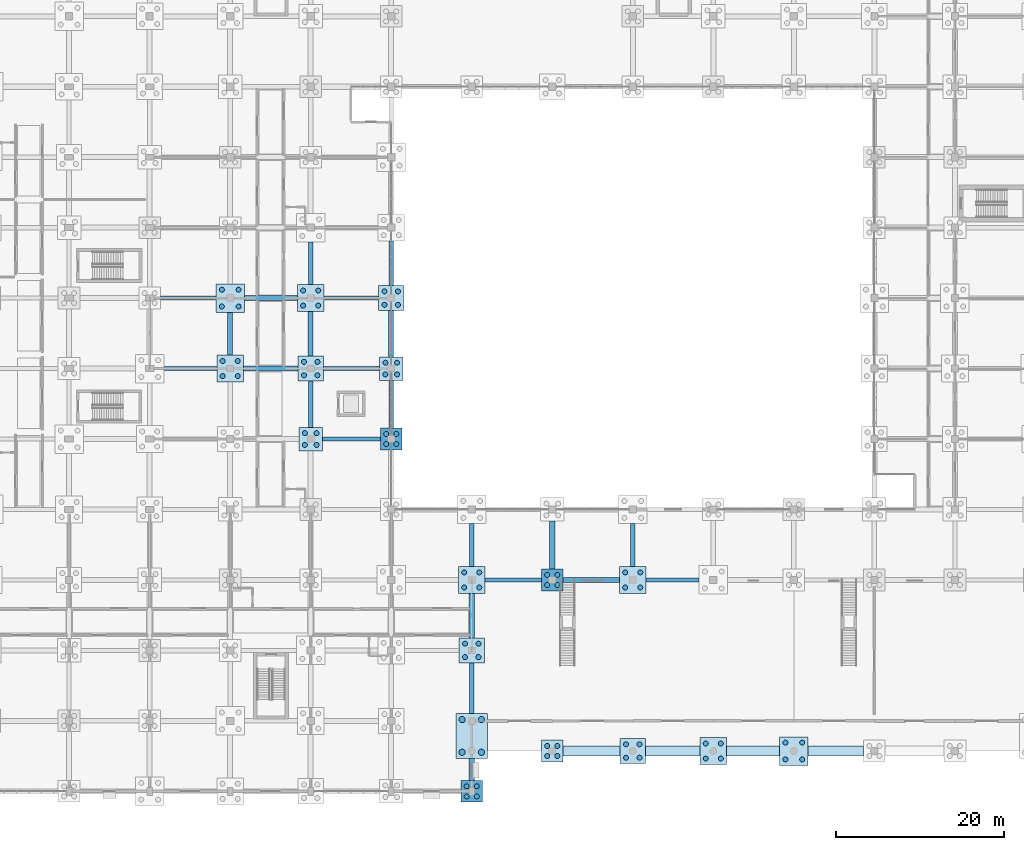
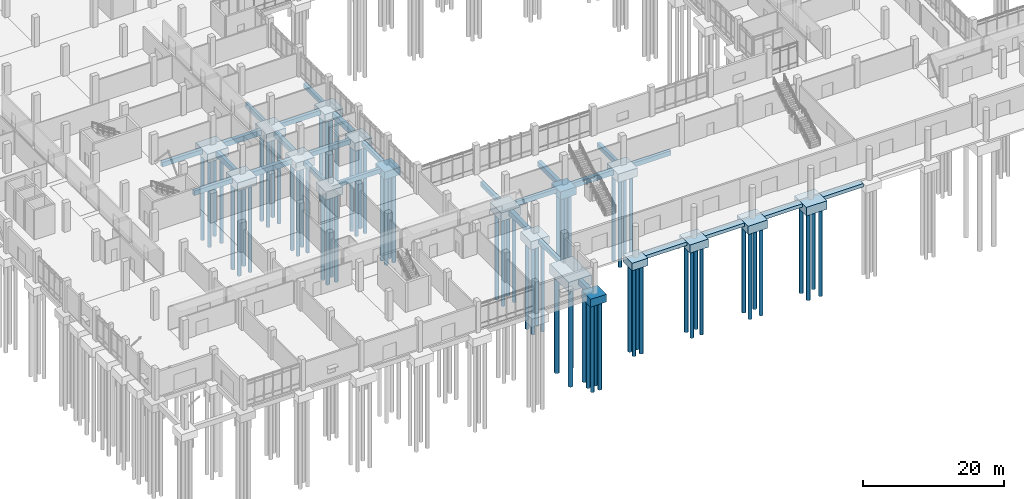
# One storey, part 4 of 136: 72 piles, 45 footings.
"""IFC4 building model written with IfcOpenShell, lengths in metres."""

from ifc_helpers import new_model, si_unit, direction, frame, origin, origin_2d, place, context, subcontext, project, spatial, rectangle, circle, extrude, material, material_profile, profile_set, type_object, element, save


model = new_model("IFC4")

# Units and contexts
model_context = context("Model", 3, precision=1e-05, world=origin(), true_north=direction((0.0, 1.0)))
body_context = subcontext(model_context, "Body", "Model", "MODEL_VIEW")
ifc_project = project(units=[si_unit("LENGTHUNIT", "METRE"), si_unit("AREAUNIT", "SQUARE_METRE"), si_unit("VOLUMEUNIT", "CUBIC_METRE"), si_unit("PLANEANGLEUNIT", "RADIAN"), si_unit("MASSUNIT", "GRAM", prefix="KILO")], contexts=[model_context])

# Site, building, storey
site_placement = place(None, origin())
site = spatial("IfcSite", under=ifc_project, at=site_placement, CompositionType="ELEMENT")
building_placement = place(site_placement, origin())
building = spatial("IfcBuilding", under=site, at=building_placement, Name="Oolite Switchyard Hospital", CompositionType="ELEMENT")
storey_placement = place(building_placement, origin())
storey = spatial("IfcBuildingStorey", under=building, at=storey_placement, Name="L00", CompositionType="ELEMENT", Elevation=0.0)

# Footings
ifc_material = material(Name="Concrete C40/50", Category="concrete")
footing_type_1 = type_object("IfcFootingType", Name="FTG-GB500X800", PredefinedType="FOOTING_BEAM", material=ifc_material)
footing_1_placement = place(storey_placement, frame((72.14990234375, 25.199951171875, -1.14990234375), z_axis=(0.0, 0.0, 1.0), x_axis=(1.0, 0.0, 0.0)))
element("IfcFooting", 1, at=footing_1_placement, inside=storey, type_object=footing_type_1, Name="L00 Grade Beam 42", PredefinedType="FOOTING_BEAM", context=body_context, shape_type="SweptSolid", body=[
    extrude(rectangle(XDim=6.699951171875, YDim=0.5, at=origin_2d()), origin(), (0.0, 0.0, 1.0), 0.800048828125),
])
footing_2_placement = place(storey_placement, frame((91.14990234375, 25.199951171875, -1.14990234375), z_axis=(0.0, 0.0, 1.0), x_axis=(1.0, 0.0, 0.0)))
element("IfcFooting", 2, at=footing_2_placement, inside=storey, type_object=footing_type_1, Name="L00 Grade Beam 44", PredefinedType="FOOTING_BEAM", context=body_context, shape_type="SweptSolid", body=[
    extrude(rectangle(XDim=6.300048828125, YDim=0.5, at=origin_2d()), origin(), (0.0, 0.0, 1.0), 0.800048828125),
])
footing_3_placement = place(storey_placement, frame((52.85009765625, 42.0, -1.14990234375), z_axis=(0.0, 0.0, 1.0), x_axis=(1.0, 0.0, 0.0)))
element("IfcFooting", 3, at=footing_3_placement, inside=storey, type_object=footing_type_1, Name="L00 Grade Beam 78", PredefinedType="FOOTING_BEAM", context=body_context, shape_type="SweptSolid", body=[
    extrude(rectangle(XDim=6.89990234375, YDim=0.5, at=origin_2d()), origin(), (0.0, 0.0, 1.0), 0.800048828125),
])
footing_4_placement = place(storey_placement, frame((33.64990234375, 50.39990234375, -1.14990234375), z_axis=(0.0, 0.0, 1.0), x_axis=(1.0, 0.0, 0.0)))
element("IfcFooting", 4, at=footing_4_placement, inside=storey, type_object=footing_type_1, Name="L00 Grade Beam 86", PredefinedType="FOOTING_BEAM", context=body_context, shape_type="SweptSolid", body=[
    extrude(rectangle(XDim=6.300048828125, YDim=0.5, at=origin_2d()), origin(), (0.0, 0.0, 1.0), 0.800048828125),
])
footing_5_placement = place(storey_placement, frame((52.85009765625, 50.39990234375, -1.14990234375), z_axis=(0.0, 0.0, 1.0), x_axis=(1.0, 0.0, 0.0)))
element("IfcFooting", 5, at=footing_5_placement, inside=storey, type_object=footing_type_1, Name="L00 Grade Beam 88", PredefinedType="FOOTING_BEAM", context=body_context, shape_type="SweptSolid", body=[
    extrude(rectangle(XDim=6.699951171875, YDim=0.5, at=origin_2d()), origin(), (0.0, 0.0, 1.0), 0.800048828125),
])
footing_6_placement = place(storey_placement, frame((33.39990234375, 58.800048828125, -1.14990234375), z_axis=(0.0, 0.0, 1.0), x_axis=(1.0, 0.0, 0.0)))
element("IfcFooting", 6, at=footing_6_placement, inside=storey, type_object=footing_type_1, Name="L00 Grade Beam 98", PredefinedType="FOOTING_BEAM", context=body_context, shape_type="SweptSolid", body=[
    extrude(rectangle(XDim=6.60009765625, YDim=0.5, at=origin_2d()), origin(), (0.0, 0.0, 1.0), 0.800048828125),
])
footing_7_placement = place(storey_placement, frame((52.85009765625, 58.800048828125, -1.14990234375), z_axis=(0.0, 0.0, 1.0), x_axis=(1.0, 0.0, 0.0)))
element("IfcFooting", 7, at=footing_7_placement, inside=storey, type_object=footing_type_1, Name="L00 Grade Beam 100", PredefinedType="FOOTING_BEAM", context=body_context, shape_type="SweptSolid", body=[
    extrude(rectangle(XDim=6.5, YDim=0.5, at=origin_2d()), origin(), (0.0, 0.0, 1.0), 0.800048828125),
])
footing_8_placement = place(storey_placement, frame((48.0, 46.14990234375, -1.14990234375), z_axis=(0.0, 0.0, 1.0), x_axis=(0.0, 1.0, 0.0)))
element("IfcFooting", 8, at=footing_8_placement, inside=storey, type_object=footing_type_1, Name="L00 Grade Beam 349", PredefinedType="FOOTING_BEAM", context=body_context, shape_type="SweptSolid", body=[
    extrude(rectangle(XDim=5.5, YDim=0.5, at=origin_2d()), origin(), (0.0, 0.0, 1.0), 0.800048828125),
])
footing_9_placement = place(storey_placement, frame((48.0, 62.949951171875, -1.14990234375), z_axis=(0.0, 0.0, 1.0), x_axis=(0.0, 1.0, 0.0)))
element("IfcFooting", 9, at=footing_9_placement, inside=storey, type_object=footing_type_1, Name="L00 Grade Beam 351", PredefinedType="FOOTING_BEAM", context=body_context, shape_type="SweptSolid", body=[
    extrude(rectangle(XDim=5.10009765625, YDim=0.5, at=origin_2d()), origin(), (0.0, 0.0, 1.0), 0.800048828125),
])
footing_10_placement = place(storey_placement, frame((57.60009765625, 46.14990234375, -1.14990234375), z_axis=(0.0, 0.0, 1.0), x_axis=(0.0, 1.0, 0.0)))
element("IfcFooting", 10, at=footing_10_placement, inside=storey, type_object=footing_type_1, Name="L00 Grade Beam 365", PredefinedType="FOOTING_BEAM", context=body_context, shape_type="SweptSolid", body=[
    extrude(rectangle(XDim=5.699951171875, YDim=0.5, at=origin_2d()), origin(), (0.0, 0.0, 1.0), 0.800048828125),
])
footing_11_placement = place(storey_placement, frame((57.60009765625, 62.949951171875, -1.14990234375), z_axis=(0.0, 0.0, 1.0), x_axis=(0.0, 1.0, 0.0)))
element("IfcFooting", 11, at=footing_11_placement, inside=storey, type_object=footing_type_1, Name="L00 Grade Beam 367", PredefinedType="FOOTING_BEAM", context=body_context, shape_type="SweptSolid", body=[
    extrude(rectangle(XDim=5.300048828125, YDim=0.5, at=origin_2d()), origin(), (0.0, 0.0, 1.0), 0.800048828125),
])
footing_12_placement = place(storey_placement, frame((67.199951171875, 12.300048828125, -1.14990234375), z_axis=(0.0, 0.0, 1.0), x_axis=(0.0, 1.0, 0.0)))
element("IfcFooting", 12, at=footing_12_placement, inside=storey, type_object=footing_type_1, Name="L00 Grade Beam 377", PredefinedType="FOOTING_BEAM", context=body_context, shape_type="SweptSolid", body=[
    extrude(rectangle(XDim=6.0, YDim=0.5, at=origin_2d()), origin(), (0.0, 0.0, 1.0), 0.800048828125),
])
for number, where, z_axis, x_axis, name in (
    (13, (67.199951171875, 29.35009765625, -1.14990234375), (0.0, 0.0, 1.0), (0.0, 1.0, 0.0), "L00 Grade Beam 379"),
    (14, (86.39990234375, 29.35009765625, -1.14990234375), (0.0, 0.0, 1.0), (0.0, 1.0, 0.0), "L00 Grade Beam 389"),
):
    element("IfcFooting", number, at=place(storey_placement, frame(where, z_axis=z_axis, x_axis=x_axis)), inside=storey, type_object=footing_type_1, Name=name, PredefinedType="FOOTING_BEAM", context=body_context, shape_type="SweptSolid", body=[
        extrude(rectangle(XDim=5.10009765625, YDim=0.5, at=origin_2d()), origin(), (0.0, 0.0, 1.0), 0.800048828125),
    ])
footing_type_2 = type_object("IfcFootingType", Name="FTG-GB600X900", PredefinedType="FOOTING_BEAM", material=ifc_material)
footing_13_placement = place(storey_placement, frame((81.449951171875, 25.199951171875, -1.25), z_axis=(0.0, 0.0, 1.0), x_axis=(1.0, 0.0, 0.0)))
element("IfcFooting", 15, at=footing_13_placement, inside=storey, type_object=footing_type_2, Name="L00 Grade Beam 43", PredefinedType="FOOTING_BEAM", context=body_context, shape_type="SweptSolid", body=[
    extrude(rectangle(XDim=6.699951171875, YDim=0.60009765625, at=origin_2d()), origin(), (0.0, 0.0, 1.0), 0.89990234375),
])
footing_14_placement = place(storey_placement, frame((43.25, 50.39990234375, -1.25), z_axis=(0.0, 0.0, 1.0), x_axis=(1.0, 0.0, 0.0)))
element("IfcFooting", 16, at=footing_14_placement, inside=storey, type_object=footing_type_2, Name="L00 Grade Beam 87", PredefinedType="FOOTING_BEAM", context=body_context, shape_type="SweptSolid", body=[
    extrude(rectangle(XDim=6.5, YDim=0.60009765625, at=origin_2d()), origin(), (0.0, 0.0, 1.0), 0.89990234375),
])
footing_15_placement = place(storey_placement, frame((43.25, 58.800048828125, -1.25), z_axis=(0.0, 0.0, 1.0), x_axis=(1.0, 0.0, 0.0)))
element("IfcFooting", 17, at=footing_15_placement, inside=storey, type_object=footing_type_2, Name="L00 Grade Beam 99", PredefinedType="FOOTING_BEAM", context=body_context, shape_type="SweptSolid", body=[
    extrude(rectangle(XDim=6.300048828125, YDim=0.60009765625, at=origin_2d()), origin(), (0.0, 0.0, 1.0), 0.89990234375),
])
footing_16_placement = place(storey_placement, frame((38.39990234375, 54.550048828125, -1.25), z_axis=(0.0, 0.0, 1.0), x_axis=(0.0, 1.0, 0.0)))
element("IfcFooting", 18, at=footing_16_placement, inside=storey, type_object=footing_type_2, Name="L00 Grade Beam 334", PredefinedType="FOOTING_BEAM", context=body_context, shape_type="SweptSolid", body=[
    extrude(rectangle(XDim=5.10009765625, YDim=0.60009765625, at=origin_2d()), origin(), (0.0, 0.0, 1.0), 0.89990234375),
])
footing_17_placement = place(storey_placement, frame((48.0, 54.550048828125, -1.25), z_axis=(0.0, 0.0, 1.0), x_axis=(0.0, 1.0, 0.0)))
element("IfcFooting", 19, at=footing_17_placement, inside=storey, type_object=footing_type_2, Name="L00 Grade Beam 350", PredefinedType="FOOTING_BEAM", context=body_context, shape_type="SweptSolid", body=[
    extrude(rectangle(XDim=5.300048828125, YDim=0.60009765625, at=origin_2d()), origin(), (0.0, 0.0, 1.0), 0.89990234375),
])
footing_18_placement = place(storey_placement, frame((57.60009765625, 54.550048828125, -1.25), z_axis=(0.0, 0.0, 1.0), x_axis=(0.0, 1.0, 0.0)))
element("IfcFooting", 20, at=footing_18_placement, inside=storey, type_object=footing_type_2, Name="L00 Grade Beam 366", PredefinedType="FOOTING_BEAM", context=body_context, shape_type="SweptSolid", body=[
    extrude(rectangle(XDim=5.5, YDim=0.60009765625, at=origin_2d()), origin(), (0.0, 0.0, 1.0), 0.89990234375),
])
footing_19_placement = place(storey_placement, frame((67.199951171875, 2.60009765625, -1.25), z_axis=(0.0, 0.0, 1.0), x_axis=(0.0, 1.0, 0.0)))
element("IfcFooting", 21, at=footing_19_placement, inside=storey, type_object=footing_type_2, Name="L00 Grade Beam 376", PredefinedType="FOOTING_BEAM", context=body_context, shape_type="SweptSolid", body=[
    extrude(rectangle(XDim=2.60009765625, YDim=0.60009765625, at=origin_2d()), origin(), (0.0, 0.0, 1.0), 0.89990234375),
])
footing_20_placement = place(storey_placement, frame((67.199951171875, 20.949951171875, -1.25), z_axis=(0.0, 0.0, 1.0), x_axis=(0.0, 1.0, 0.0)))
element("IfcFooting", 22, at=footing_20_placement, inside=storey, type_object=footing_type_2, Name="L00 Grade Beam 378", PredefinedType="FOOTING_BEAM", context=body_context, shape_type="SweptSolid", body=[
    extrude(rectangle(XDim=5.300048828125, YDim=0.60009765625, at=origin_2d()), origin(), (0.0, 0.0, 1.0), 0.89990234375),
])
footing_21_placement = place(storey_placement, frame((76.800048828125, 29.35009765625, -1.25), z_axis=(0.0, 0.0, 1.0), x_axis=(0.0, 1.0, 0.0)))
element("IfcFooting", 23, at=footing_21_placement, inside=storey, type_object=footing_type_2, Name="L00 Grade Beam 384", PredefinedType="FOOTING_BEAM", context=body_context, shape_type="SweptSolid", body=[
    extrude(rectangle(XDim=5.699951171875, YDim=0.60009765625, at=origin_2d()), origin(), (0.0, 0.0, 1.0), 0.89990234375),
])
footing_type_3 = type_object("IfcFootingType", Name="FTG-PC24", PredefinedType="PILE_CAP", material=ifc_material)
footing_22_placement = place(storey_placement, frame((76.800048828125, 4.800048828125, -1.64990234375), z_axis=(0.0, 0.0, 1.0), x_axis=(1.0, 0.0, 0.0)))
element("IfcFooting", 24, at=footing_22_placement, inside=storey, type_object=footing_type_3, Name="L00 Multi-Pile Cap 133", PredefinedType="PILE_CAP", context=body_context, shape_type="SweptSolid", body=[
    extrude(rectangle(XDim=2.60009765625, YDim=2.60009765625, at=origin_2d()), origin(), (0.0, 0.0, 1.0), 1.300048828125),
])
footing_type_4 = type_object("IfcFootingType", Name="FTG-PC26", PredefinedType="PILE_CAP", material=ifc_material)
for number, where, z_axis, x_axis, name in (
    (25, (57.60009765625, 42.0, -1.699951171875), (0.0, 0.0, 1.0), (1.0, 0.0, 0.0), "L00 Multi-Pile Cap 110"),
    (26, (67.199951171875, 0.0, -1.699951171875), (0.0, 0.0, 1.0), (1.0, 0.0, 0.0), "L00 Multi-Pile Cap 122"),
    (27, (76.800048828125, 25.199951171875, -1.699951171875), (0.0, 0.0, 1.0), (1.0, 0.0, 0.0), "L00 Multi-Pile Cap 134"),
):
    element("IfcFooting", number, at=place(storey_placement, frame(where, z_axis=z_axis, x_axis=x_axis)), inside=storey, type_object=footing_type_4, Name=name, PredefinedType="PILE_CAP", context=body_context, shape_type="SweptSolid", body=[
        extrude(rectangle(XDim=2.60009765625, YDim=2.60009765625, at=origin_2d()), origin(), (0.0, 0.0, 1.0), 1.35009765625),
    ])
footing_type_5 = type_object("IfcFootingType", Name="FTG-PC28", PredefinedType="PILE_CAP", material=ifc_material)
for number, where, z_axis, x_axis, name in (
    (28, (48.0, 42.0, -1.75), (0.0, 0.0, 1.0), (1.0, 0.0, 0.0), "L00 Multi-Pile Cap 93"),
    (29, (57.60009765625, 50.39990234375, -1.75), (0.0, 0.0, 1.0), (1.0, 0.0, 0.0), "L00 Multi-Pile Cap 111"),
):
    element("IfcFooting", number, at=place(storey_placement, frame(where, z_axis=z_axis, x_axis=x_axis)), inside=storey, type_object=footing_type_5, Name=name, PredefinedType="PILE_CAP", context=body_context, shape_type="SweptSolid", body=[
        extrude(rectangle(XDim=2.800048828125, YDim=2.800048828125, at=origin_2d()), origin(), (0.0, 0.0, 1.0), 1.39990234375),
    ])
footing_type_6 = type_object("IfcFootingType", Name="FTG-PC30", PredefinedType="PILE_CAP", material=ifc_material)
for number, where, z_axis, x_axis, name in (
    (30, (48.0, 50.39990234375, -1.77001953125), (0.0, 0.0, 1.0), (1.0, 0.0, 0.0), "L00 Multi-Pile Cap 94"),
    (31, (57.60009765625, 58.800048828125, -1.77001953125), (0.0, 0.0, 1.0), (1.0, 0.0, 0.0), "L00 Multi-Pile Cap 112"),
    (32, (67.199951171875, 16.800048828125, -1.77001953125), (0.0, 0.0, 1.0), (1.0, 0.0, 0.0), "L00 Multi-Pile Cap 124"),
    (33, (86.39990234375, 4.800048828125, -1.77001953125), (0.0, 0.0, 1.0), (1.0, 0.0, 0.0), "L00 Multi-Pile Cap 142"),
):
    element("IfcFooting", number, at=place(storey_placement, frame(where, z_axis=z_axis, x_axis=x_axis)), inside=storey, type_object=footing_type_6, Name=name, PredefinedType="PILE_CAP", context=body_context, shape_type="SweptSolid", body=[
        extrude(rectangle(XDim=3.0, YDim=3.0, at=origin_2d()), origin(), (0.0, 0.0, 1.0), 1.419921875),
    ])
footing_type_7 = type_object("IfcFootingType", Name="FTG-PC32", PredefinedType="PILE_CAP", material=ifc_material)
for number, where, z_axis, x_axis, name in (
    (34, (38.39990234375, 50.39990234375, -1.7998046875), (0.0, 0.0, 1.0), (1.0, 0.0, 0.0), "L00 Multi-Pile Cap 77"),
    (35, (48.0, 58.800048828125, -1.7998046875), (0.0, 0.0, 1.0), (1.0, 0.0, 0.0), "L00 Multi-Pile Cap 95"),
    (36, (67.199951171875, 25.199951171875, -1.7998046875), (0.0, 0.0, 1.0), (1.0, 0.0, 0.0), "L00 Multi-Pile Cap 125"),
    (37, (86.39990234375, 25.199951171875, -1.7998046875), (0.0, 0.0, 1.0), (1.0, 0.0, 0.0), "L00 Multi-Pile Cap 143"),
    (38, (96.0, 4.800048828125, -1.7998046875), (0.0, 0.0, 1.0), (1.0, 0.0, 0.0), "L00 Multi-Pile Cap 149"),
):
    element("IfcFooting", number, at=place(storey_placement, frame(where, z_axis=z_axis, x_axis=x_axis)), inside=storey, type_object=footing_type_7, Name=name, PredefinedType="PILE_CAP", context=body_context, shape_type="SweptSolid", body=[
        extrude(rectangle(XDim=3.199951171875, YDim=3.199951171875, at=origin_2d()), origin(), (0.0, 0.0, 1.0), 1.449951171875),
    ])
footing_type_8 = type_object("IfcFootingType", Name="FTG-PC34", PredefinedType="PILE_CAP", material=ifc_material)
for number, where, z_axis, x_axis, name in (
    (39, (38.39990234375, 58.800048828125, -1.85009765625), (0.0, 0.0, 1.0), (1.0, 0.0, 0.0), "L00 Multi-Pile Cap 78"),
    (40, (105.60009765625, 4.800048828125, -1.85009765625), (0.0, 0.0, 1.0), (1.0, 0.0, 0.0), "L00 Multi-Pile Cap 156"),
):
    element("IfcFooting", number, at=place(storey_placement, frame(where, z_axis=z_axis, x_axis=x_axis)), inside=storey, type_object=footing_type_8, Name=name, PredefinedType="PILE_CAP", context=body_context, shape_type="SweptSolid", body=[
        extrude(rectangle(XDim=3.39990234375, YDim=3.39990234375, at=origin_2d()), origin(), (0.0, 0.0, 1.0), 1.5),
    ])
footing_type_9 = type_object("IfcFootingType", Name="FTG-PC54X38", PredefinedType="PILE_CAP", material=ifc_material)
footing_23_placement = place(storey_placement, frame((67.199951171875, 6.60009765625, -2.0498046875), z_axis=(0.0, 0.0, 1.0), x_axis=(0.0, 1.0, 0.0)))
element("IfcFooting", 41, at=footing_23_placement, inside=storey, type_object=footing_type_9, Name="L00 Multi-Pile Cap 123", PredefinedType="PILE_CAP", context=body_context, shape_type="SweptSolid", body=[
    extrude(rectangle(XDim=5.39990234375, YDim=3.800048828125, at=origin_2d()), origin(), (0.0, 0.0, 1.0), 1.699951171875),
])
footing_type_10 = type_object("IfcFootingType", Name="FTG-SF1200X600", PredefinedType="STRIP_FOOTING", material=ifc_material)
footing_24_placement = place(storey_placement, frame((81.5, 4.800048828125, -0.949951171875), z_axis=(0.0, 0.0, 1.0), x_axis=(1.0, 0.0, 0.0)))
element("IfcFooting", 42, at=footing_24_placement, inside=storey, type_object=footing_type_10, Name="L00 Colonnade Strip Footing 6", PredefinedType="STRIP_FOOTING", context=body_context, shape_type="SweptSolid", body=[
    extrude(rectangle(XDim=6.800048828125, YDim=1.199951171875, at=origin_2d()), origin(), (0.0, 0.0, 1.0), 0.60009765625),
])
footing_25_placement = place(storey_placement, frame((91.14990234375, 4.800048828125, -0.949951171875), z_axis=(0.0, 0.0, 1.0), x_axis=(1.0, 0.0, 0.0)))
element("IfcFooting", 43, at=footing_25_placement, inside=storey, type_object=footing_type_10, Name="L00 Colonnade Strip Footing 7", PredefinedType="STRIP_FOOTING", context=body_context, shape_type="SweptSolid", body=[
    extrude(rectangle(XDim=6.5, YDim=1.199951171875, at=origin_2d()), origin(), (0.0, 0.0, 1.0), 0.60009765625),
])
footing_26_placement = place(storey_placement, frame((100.75, 4.800048828125, -0.949951171875), z_axis=(0.0, 0.0, 1.0), x_axis=(1.0, 0.0, 0.0)))
element("IfcFooting", 44, at=footing_26_placement, inside=storey, type_object=footing_type_10, Name="L00 Colonnade Strip Footing 8", PredefinedType="STRIP_FOOTING", context=body_context, shape_type="SweptSolid", body=[
    extrude(rectangle(XDim=6.300048828125, YDim=1.199951171875, at=origin_2d()), origin(), (0.0, 0.0, 1.0), 0.60009765625),
])
footing_27_placement = place(storey_placement, frame((110.60009765625, 4.800048828125, -0.949951171875), z_axis=(0.0, 0.0, 1.0), x_axis=(1.0, 0.0, 0.0)))
element("IfcFooting", 45, at=footing_27_placement, inside=storey, type_object=footing_type_10, Name="L00 Colonnade Strip Footing 9", PredefinedType="STRIP_FOOTING", context=body_context, shape_type="SweptSolid", body=[
    extrude(rectangle(XDim=6.60009765625, YDim=1.199951171875, at=origin_2d()), origin(), (0.0, 0.0, 1.0), 0.60009765625),
])

# Piles
ifc_material_profile_1 = material_profile(ifc_material, circle(Radius=0.300048828125, at=origin_2d()), Name="PILE600")
ifc_profile_set_1 = profile_set([ifc_material_profile_1], Name="Concrete C40/50")
pile_type_1 = type_object("IfcPileType", Name="PILE-ACIP600", PredefinedType="BORED", material=ifc_profile_set_1)
for number, where, z_axis, x_axis, name in (
    (46, (37.5, 49.5, -1.64990234375), (0.0, 0.0, -1.0), (1.0, 0.0, 0.0), "Augercast Pile 305"),
    (47, (39.300048828125, 49.5, -1.64990234375), (0.0, 0.0, -1.0), (1.0, 0.0, 0.0), "Augercast Pile 306"),
    (48, (37.5, 51.300048828125, -1.64990234375), (0.0, 0.0, -1.0), (1.0, 0.0, 0.0), "Augercast Pile 307"),
    (49, (39.300048828125, 51.300048828125, -1.64990234375), (0.0, 0.0, -1.0), (1.0, 0.0, 0.0), "Augercast Pile 308"),
):
    element("IfcPile", number, at=place(storey_placement, frame(where, z_axis=z_axis, x_axis=x_axis)), inside=storey, type_object=pile_type_1, Name=name, PredefinedType="BORED", context=body_context, shape_type="SweptSolid", body=[
        extrude(circle(Radius=0.300048828125, at=origin_2d()), origin(), (0.0, 0.0, 1.0), 15.35009765625),
    ])
for number, where, z_axis, x_axis, name in (
    (50, (37.39990234375, 57.800048828125, -1.699951171875), (0.0, 0.0, -1.0), (1.0, 0.0, 0.0), "Augercast Pile 309"),
    (51, (39.39990234375, 57.800048828125, -1.699951171875), (0.0, 0.0, -1.0), (1.0, 0.0, 0.0), "Augercast Pile 310"),
    (52, (37.39990234375, 59.800048828125, -1.699951171875), (0.0, 0.0, -1.0), (1.0, 0.0, 0.0), "Augercast Pile 311"),
    (53, (39.39990234375, 59.800048828125, -1.699951171875), (0.0, 0.0, -1.0), (1.0, 0.0, 0.0), "Augercast Pile 312"),
):
    element("IfcPile", number, at=place(storey_placement, frame(where, z_axis=z_axis, x_axis=x_axis)), inside=storey, type_object=pile_type_1, Name=name, PredefinedType="BORED", context=body_context, shape_type="SweptSolid", body=[
        extrude(circle(Radius=0.300048828125, at=origin_2d()), origin(), (0.0, 0.0, 1.0), 15.300048828125),
    ])
for number, where, z_axis, x_axis, name in (
    (54, (47.300048828125, 41.300048828125, -1.60009765625), (0.0, 0.0, -1.0), (1.0, 0.0, 0.0), "Augercast Pile 369"),
    (55, (48.699951171875, 41.300048828125, -1.60009765625), (0.0, 0.0, -1.0), (1.0, 0.0, 0.0), "Augercast Pile 370"),
    (56, (47.300048828125, 42.699951171875, -1.60009765625), (0.0, 0.0, -1.0), (1.0, 0.0, 0.0), "Augercast Pile 371"),
    (57, (48.699951171875, 42.699951171875, -1.60009765625), (0.0, 0.0, -1.0), (1.0, 0.0, 0.0), "Augercast Pile 372"),
):
    element("IfcPile", number, at=place(storey_placement, frame(where, z_axis=z_axis, x_axis=x_axis)), inside=storey, type_object=pile_type_1, Name=name, PredefinedType="BORED", context=body_context, shape_type="SweptSolid", body=[
        extrude(circle(Radius=0.300048828125, at=origin_2d()), origin(), (0.0, 0.0, 1.0), 15.39990234375),
    ])
for number, where, z_axis, x_axis, name in (
    (58, (47.199951171875, 49.60009765625, -1.6201171875), (0.0, 0.0, -1.0), (1.0, 0.0, 0.0), "Augercast Pile 373"),
    (59, (48.800048828125, 49.60009765625, -1.6201171875), (0.0, 0.0, -1.0), (1.0, 0.0, 0.0), "Augercast Pile 374"),
    (60, (47.199951171875, 51.199951171875, -1.6201171875), (0.0, 0.0, -1.0), (1.0, 0.0, 0.0), "Augercast Pile 375"),
    (61, (48.800048828125, 51.199951171875, -1.6201171875), (0.0, 0.0, -1.0), (1.0, 0.0, 0.0), "Augercast Pile 376"),
):
    element("IfcPile", number, at=place(storey_placement, frame(where, z_axis=z_axis, x_axis=x_axis)), inside=storey, type_object=pile_type_1, Name=name, PredefinedType="BORED", context=body_context, shape_type="SweptSolid", body=[
        extrude(circle(Radius=0.300048828125, at=origin_2d()), origin(), (0.0, 0.0, 1.0), 15.3798828125),
    ])
for number, where, z_axis, x_axis, name in (
    (62, (47.10009765625, 57.89990234375, -1.64990234375), (0.0, 0.0, -1.0), (1.0, 0.0, 0.0), "Augercast Pile 377"),
    (63, (48.89990234375, 57.89990234375, -1.64990234375), (0.0, 0.0, -1.0), (1.0, 0.0, 0.0), "Augercast Pile 378"),
    (64, (47.10009765625, 59.699951171875, -1.64990234375), (0.0, 0.0, -1.0), (1.0, 0.0, 0.0), "Augercast Pile 379"),
    (65, (48.89990234375, 59.699951171875, -1.64990234375), (0.0, 0.0, -1.0), (1.0, 0.0, 0.0), "Augercast Pile 380"),
):
    element("IfcPile", number, at=place(storey_placement, frame(where, z_axis=z_axis, x_axis=x_axis)), inside=storey, type_object=pile_type_1, Name=name, PredefinedType="BORED", context=body_context, shape_type="SweptSolid", body=[
        extrude(circle(Radius=0.300048828125, at=origin_2d()), origin(), (0.0, 0.0, 1.0), 15.35009765625),
    ])
for number, where, z_axis, x_axis, name in (
    (66, (57.0, 41.39990234375, -1.550048828125), (0.0, 0.0, -1.0), (1.0, 0.0, 0.0), "Augercast Pile 437"),
    (67, (58.199951171875, 41.39990234375, -1.550048828125), (0.0, 0.0, -1.0), (1.0, 0.0, 0.0), "Augercast Pile 438"),
    (68, (57.0, 42.60009765625, -1.550048828125), (0.0, 0.0, -1.0), (1.0, 0.0, 0.0), "Augercast Pile 439"),
    (69, (58.199951171875, 42.60009765625, -1.550048828125), (0.0, 0.0, -1.0), (1.0, 0.0, 0.0), "Augercast Pile 440"),
):
    element("IfcPile", number, at=place(storey_placement, frame(where, z_axis=z_axis, x_axis=x_axis)), inside=storey, type_object=pile_type_1, Name=name, PredefinedType="BORED", context=body_context, shape_type="SweptSolid", body=[
        extrude(circle(Radius=0.300048828125, at=origin_2d()), origin(), (0.0, 0.0, 1.0), 15.449951171875),
    ])
for number, where, z_axis, x_axis, name in (
    (70, (56.89990234375, 49.699951171875, -1.60009765625), (0.0, 0.0, -1.0), (1.0, 0.0, 0.0), "Augercast Pile 441"),
    (71, (58.300048828125, 49.699951171875, -1.60009765625), (0.0, 0.0, -1.0), (1.0, 0.0, 0.0), "Augercast Pile 442"),
    (72, (56.89990234375, 51.10009765625, -1.60009765625), (0.0, 0.0, -1.0), (1.0, 0.0, 0.0), "Augercast Pile 443"),
    (73, (58.300048828125, 51.10009765625, -1.60009765625), (0.0, 0.0, -1.0), (1.0, 0.0, 0.0), "Augercast Pile 444"),
):
    element("IfcPile", number, at=place(storey_placement, frame(where, z_axis=z_axis, x_axis=x_axis)), inside=storey, type_object=pile_type_1, Name=name, PredefinedType="BORED", context=body_context, shape_type="SweptSolid", body=[
        extrude(circle(Radius=0.300048828125, at=origin_2d()), origin(), (0.0, 0.0, 1.0), 15.39990234375),
    ])
for number, where, z_axis, x_axis, name in (
    (74, (56.800048828125, 58.0, -1.6201171875), (0.0, 0.0, -1.0), (1.0, 0.0, 0.0), "Augercast Pile 445"),
    (75, (58.39990234375, 58.0, -1.6201171875), (0.0, 0.0, -1.0), (1.0, 0.0, 0.0), "Augercast Pile 446"),
    (76, (56.800048828125, 59.60009765625, -1.6201171875), (0.0, 0.0, -1.0), (1.0, 0.0, 0.0), "Augercast Pile 447"),
    (77, (58.39990234375, 59.60009765625, -1.6201171875), (0.0, 0.0, -1.0), (1.0, 0.0, 0.0), "Augercast Pile 448"),
):
    element("IfcPile", number, at=place(storey_placement, frame(where, z_axis=z_axis, x_axis=x_axis)), inside=storey, type_object=pile_type_1, Name=name, PredefinedType="BORED", context=body_context, shape_type="SweptSolid", body=[
        extrude(circle(Radius=0.300048828125, at=origin_2d()), origin(), (0.0, 0.0, 1.0), 15.3798828125),
    ])
for number, where, z_axis, x_axis, name in (
    (78, (66.60009765625, -0.60009765625, -1.550048828125), (0.0, 0.0, -1.0), (1.0, 0.0, 0.0), "Augercast Pile 485"),
    (79, (67.800048828125, -0.60009765625, -1.550048828125), (0.0, 0.0, -1.0), (1.0, 0.0, 0.0), "Augercast Pile 486"),
    (80, (66.60009765625, 0.60009765625, -1.550048828125), (0.0, 0.0, -1.0), (1.0, 0.0, 0.0), "Augercast Pile 487"),
    (81, (67.800048828125, 0.60009765625, -1.550048828125), (0.0, 0.0, -1.0), (1.0, 0.0, 0.0), "Augercast Pile 488"),
):
    element("IfcPile", number, at=place(storey_placement, frame(where, z_axis=z_axis, x_axis=x_axis)), inside=storey, type_object=pile_type_1, Name=name, PredefinedType="BORED", context=body_context, shape_type="SweptSolid", body=[
        extrude(circle(Radius=0.300048828125, at=origin_2d()), origin(), (0.0, 0.0, 1.0), 15.449951171875),
    ])
for number, where, z_axis, x_axis, name in (
    (82, (66.39990234375, 16.0, -1.6201171875), (0.0, 0.0, -1.0), (1.0, 0.0, 0.0), "Augercast Pile 493"),
    (83, (68.0, 16.0, -1.6201171875), (0.0, 0.0, -1.0), (1.0, 0.0, 0.0), "Augercast Pile 494"),
    (84, (66.39990234375, 17.60009765625, -1.6201171875), (0.0, 0.0, -1.0), (1.0, 0.0, 0.0), "Augercast Pile 495"),
    (85, (68.0, 17.60009765625, -1.6201171875), (0.0, 0.0, -1.0), (1.0, 0.0, 0.0), "Augercast Pile 496"),
):
    element("IfcPile", number, at=place(storey_placement, frame(where, z_axis=z_axis, x_axis=x_axis)), inside=storey, type_object=pile_type_1, Name=name, PredefinedType="BORED", context=body_context, shape_type="SweptSolid", body=[
        extrude(circle(Radius=0.300048828125, at=origin_2d()), origin(), (0.0, 0.0, 1.0), 15.3798828125),
    ])
for number, where, z_axis, x_axis, name in (
    (86, (66.300048828125, 24.300048828125, -1.64990234375), (0.0, 0.0, -1.0), (1.0, 0.0, 0.0), "Augercast Pile 497"),
    (87, (68.10009765625, 24.300048828125, -1.64990234375), (0.0, 0.0, -1.0), (1.0, 0.0, 0.0), "Augercast Pile 498"),
    (88, (66.300048828125, 26.10009765625, -1.64990234375), (0.0, 0.0, -1.0), (1.0, 0.0, 0.0), "Augercast Pile 499"),
    (89, (68.10009765625, 26.10009765625, -1.64990234375), (0.0, 0.0, -1.0), (1.0, 0.0, 0.0), "Augercast Pile 500"),
):
    element("IfcPile", number, at=place(storey_placement, frame(where, z_axis=z_axis, x_axis=x_axis)), inside=storey, type_object=pile_type_1, Name=name, PredefinedType="BORED", context=body_context, shape_type="SweptSolid", body=[
        extrude(circle(Radius=0.300048828125, at=origin_2d()), origin(), (0.0, 0.0, 1.0), 15.35009765625),
    ])
for number, where, z_axis, x_axis, name in (
    (90, (76.199951171875, 4.199951171875, -1.5), (0.0, 0.0, -1.0), (1.0, 0.0, 0.0), "Augercast Pile 529"),
    (91, (77.39990234375, 4.199951171875, -1.5), (0.0, 0.0, -1.0), (1.0, 0.0, 0.0), "Augercast Pile 530"),
    (92, (76.199951171875, 5.39990234375, -1.5), (0.0, 0.0, -1.0), (1.0, 0.0, 0.0), "Augercast Pile 531"),
    (93, (77.39990234375, 5.39990234375, -1.5), (0.0, 0.0, -1.0), (1.0, 0.0, 0.0), "Augercast Pile 532"),
):
    element("IfcPile", number, at=place(storey_placement, frame(where, z_axis=z_axis, x_axis=x_axis)), inside=storey, type_object=pile_type_1, Name=name, PredefinedType="BORED", context=body_context, shape_type="SweptSolid", body=[
        extrude(circle(Radius=0.300048828125, at=origin_2d()), origin(), (0.0, 0.0, 1.0), 15.5),
    ])
for number, where, z_axis, x_axis, name in (
    (94, (76.199951171875, 24.60009765625, -1.550048828125), (0.0, 0.0, -1.0), (1.0, 0.0, 0.0), "Augercast Pile 533"),
    (95, (77.39990234375, 24.60009765625, -1.550048828125), (0.0, 0.0, -1.0), (1.0, 0.0, 0.0), "Augercast Pile 534"),
    (96, (76.199951171875, 25.800048828125, -1.550048828125), (0.0, 0.0, -1.0), (1.0, 0.0, 0.0), "Augercast Pile 535"),
    (97, (77.39990234375, 25.800048828125, -1.550048828125), (0.0, 0.0, -1.0), (1.0, 0.0, 0.0), "Augercast Pile 536"),
):
    element("IfcPile", number, at=place(storey_placement, frame(where, z_axis=z_axis, x_axis=x_axis)), inside=storey, type_object=pile_type_1, Name=name, PredefinedType="BORED", context=body_context, shape_type="SweptSolid", body=[
        extrude(circle(Radius=0.300048828125, at=origin_2d()), origin(), (0.0, 0.0, 1.0), 15.449951171875),
    ])
for number, where, z_axis, x_axis, name in (
    (98, (85.60009765625, 4.0, -1.6201171875), (0.0, 0.0, -1.0), (1.0, 0.0, 0.0), "Augercast Pile 565"),
    (99, (87.199951171875, 4.0, -1.6201171875), (0.0, 0.0, -1.0), (1.0, 0.0, 0.0), "Augercast Pile 566"),
    (100, (85.60009765625, 5.60009765625, -1.6201171875), (0.0, 0.0, -1.0), (1.0, 0.0, 0.0), "Augercast Pile 567"),
    (101, (87.199951171875, 5.60009765625, -1.6201171875), (0.0, 0.0, -1.0), (1.0, 0.0, 0.0), "Augercast Pile 568"),
):
    element("IfcPile", number, at=place(storey_placement, frame(where, z_axis=z_axis, x_axis=x_axis)), inside=storey, type_object=pile_type_1, Name=name, PredefinedType="BORED", context=body_context, shape_type="SweptSolid", body=[
        extrude(circle(Radius=0.300048828125, at=origin_2d()), origin(), (0.0, 0.0, 1.0), 15.3798828125),
    ])
for number, where, z_axis, x_axis, name in (
    (102, (85.5, 24.300048828125, -1.64990234375), (0.0, 0.0, -1.0), (1.0, 0.0, 0.0), "Augercast Pile 569"),
    (103, (87.300048828125, 24.300048828125, -1.64990234375), (0.0, 0.0, -1.0), (1.0, 0.0, 0.0), "Augercast Pile 570"),
    (104, (85.5, 26.10009765625, -1.64990234375), (0.0, 0.0, -1.0), (1.0, 0.0, 0.0), "Augercast Pile 571"),
    (105, (87.300048828125, 26.10009765625, -1.64990234375), (0.0, 0.0, -1.0), (1.0, 0.0, 0.0), "Augercast Pile 572"),
    (106, (95.10009765625, 3.89990234375, -1.64990234375), (0.0, 0.0, -1.0), (1.0, 0.0, 0.0), "Augercast Pile 593"),
    (107, (96.89990234375, 3.89990234375, -1.64990234375), (0.0, 0.0, -1.0), (1.0, 0.0, 0.0), "Augercast Pile 594"),
    (108, (95.10009765625, 5.699951171875, -1.64990234375), (0.0, 0.0, -1.0), (1.0, 0.0, 0.0), "Augercast Pile 595"),
    (109, (96.89990234375, 5.699951171875, -1.64990234375), (0.0, 0.0, -1.0), (1.0, 0.0, 0.0), "Augercast Pile 596"),
):
    element("IfcPile", number, at=place(storey_placement, frame(where, z_axis=z_axis, x_axis=x_axis)), inside=storey, type_object=pile_type_1, Name=name, PredefinedType="BORED", context=body_context, shape_type="SweptSolid", body=[
        extrude(circle(Radius=0.300048828125, at=origin_2d()), origin(), (0.0, 0.0, 1.0), 15.35009765625),
    ])
for number, where, z_axis, x_axis, name in (
    (110, (104.60009765625, 3.800048828125, -1.699951171875), (0.0, 0.0, -1.0), (1.0, 0.0, 0.0), "Augercast Pile 621"),
    (111, (106.60009765625, 3.800048828125, -1.699951171875), (0.0, 0.0, -1.0), (1.0, 0.0, 0.0), "Augercast Pile 622"),
    (112, (104.60009765625, 5.800048828125, -1.699951171875), (0.0, 0.0, -1.0), (1.0, 0.0, 0.0), "Augercast Pile 623"),
    (113, (106.60009765625, 5.800048828125, -1.699951171875), (0.0, 0.0, -1.0), (1.0, 0.0, 0.0), "Augercast Pile 624"),
):
    element("IfcPile", number, at=place(storey_placement, frame(where, z_axis=z_axis, x_axis=x_axis)), inside=storey, type_object=pile_type_1, Name=name, PredefinedType="BORED", context=body_context, shape_type="SweptSolid", body=[
        extrude(circle(Radius=0.300048828125, at=origin_2d()), origin(), (0.0, 0.0, 1.0), 15.300048828125),
    ])
ifc_material_profile_2 = material_profile(ifc_material, circle(Radius=0.375, at=origin_2d()), Name="PILE750")
ifc_profile_set_2 = profile_set([ifc_material_profile_2], Name="Concrete C40/50")
pile_type_2 = type_object("IfcPileType", Name="PILE-ACIP750", PredefinedType="BORED", material=ifc_profile_set_2)
for number, where, z_axis, x_axis, name in (
    (114, (66.050048828125, 4.64990234375, -1.89990234375), (0.0, 0.0, -1.0), (1.0, 0.0, 0.0), "Augercast Pile 489"),
    (115, (68.35009765625, 4.64990234375, -1.89990234375), (0.0, 0.0, -1.0), (1.0, 0.0, 0.0), "Augercast Pile 490"),
    (116, (66.050048828125, 8.550048828125, -1.89990234375), (0.0, 0.0, -1.0), (1.0, 0.0, 0.0), "Augercast Pile 491"),
    (117, (68.35009765625, 8.550048828125, -1.89990234375), (0.0, 0.0, -1.0), (1.0, 0.0, 0.0), "Augercast Pile 492"),
):
    element("IfcPile", number, at=place(storey_placement, frame(where, z_axis=z_axis, x_axis=x_axis)), inside=storey, type_object=pile_type_2, Name=name, PredefinedType="BORED", context=body_context, shape_type="SweptSolid", body=[
        extrude(circle(Radius=0.375, at=origin_2d()), origin(), (0.0, 0.0, 1.0), 17.10009765625),
    ])

save(model, "model.ifc")
